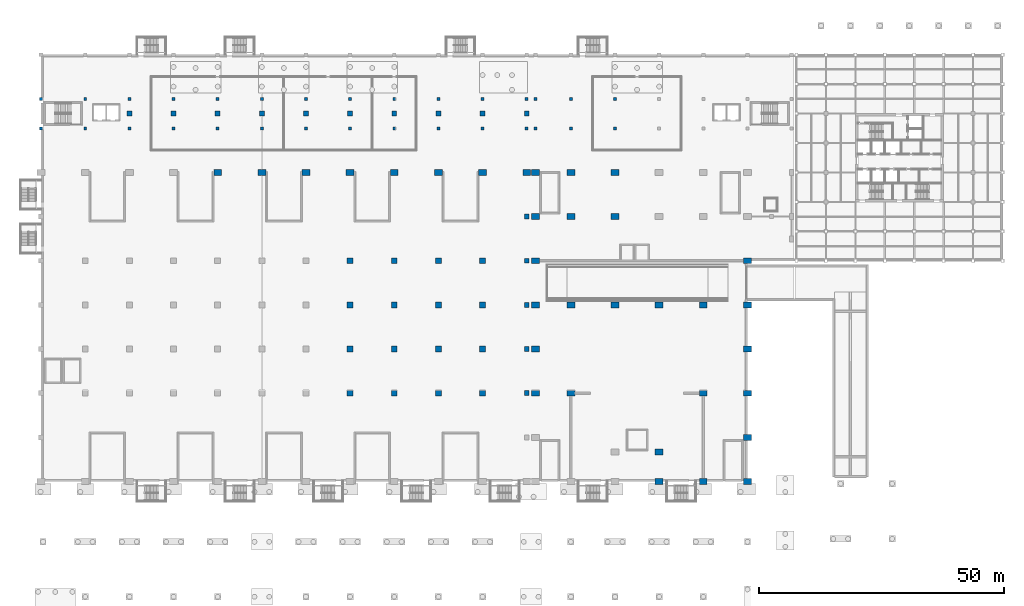
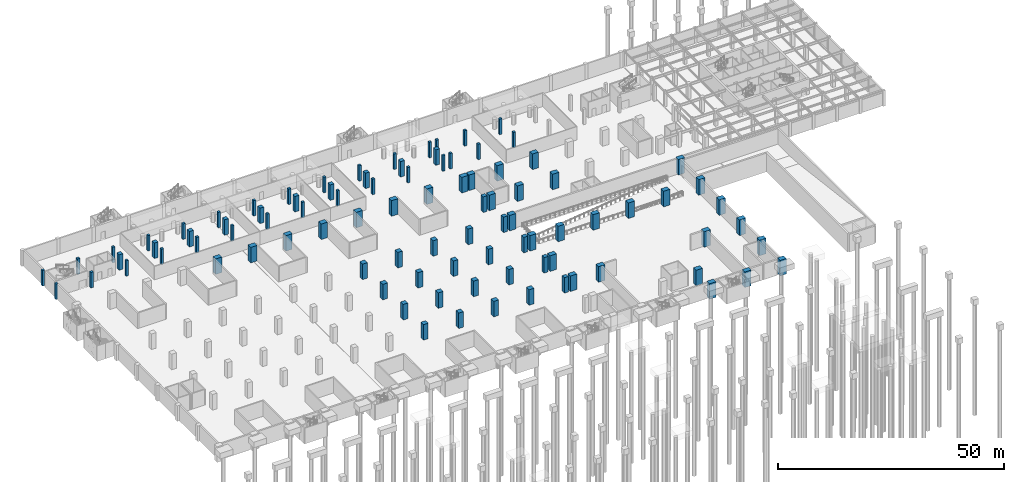
# One storey, part 3 of 27: 94 columns.
"""IFC4 building model written with IfcOpenShell, lengths in metres."""

import ifcopenshell
import ifcopenshell.guid

model = None  # the IFC model being written
_history = None  # IfcOwnerHistory: only IFC2X3 demands one
_inside = {}  # id of a spatial element -> (the spatial element, [elements in it])
_under = {}  # id of a project, library or spatial element -> (it, [spatial elements below it])
_declared = {}  # id of a project -> (the project, [libraries it declares])
_typed = {}  # id of a type object -> (the type object, [elements of that type])
_made_of = {}  # id of a material, layer set ... -> (it, [elements and type objects made of it])


def new_model(schema):
    """Start an empty IFC model of exactly this schema.

    Asked for "IFC4X3", IfcOpenShell would pick the latest addendum, in which some entities
    have other attributes; the version numbers below select the first issue.
    IFC2X3 requires an IfcOwnerHistory on every rooted entity: one is made here for all.
    """
    global model, _history
    if schema == "IFC4X3":
        model = ifcopenshell.file(schema_version=(4, 3, 0, 0))
    else:
        model = ifcopenshell.file(schema=schema)
    _inside.clear()
    _under.clear()
    _declared.clear()
    _typed.clear()
    _made_of.clear()
    _history = None
    if model.schema == "IFC2X3":
        org = make("IfcOrganization", Name="unknown")
        user = make(
            "IfcPersonAndOrganization",
            ThePerson=make("IfcPerson", FamilyName="unknown"),
            TheOrganization=org,
        )
        app = make(
            "IfcApplication",
            ApplicationDeveloper=org,
            Version="unknown",
            ApplicationFullName="unknown",
            ApplicationIdentifier="unknown",
        )
        _history = make(
            "IfcOwnerHistory",
            OwningUser=user,
            OwningApplication=app,
            ChangeAction="ADDED",
            CreationDate=0,
        )
    return model


def make(cls, **values):
    """One entity of the class cls with the attributes given. An attribute that is None is left unset."""
    return model.create_entity(
        cls, **{name: value for name, value in values.items() if value is not None}
    )


def rooted(cls, **values):
    """An entity with a GlobalId (a new one), such as an element, a storey or a relation."""
    return make(cls, GlobalId=ifcopenshell.guid.new(), OwnerHistory=_history, **values)


def si_unit(unit_type, name, prefix=None):
    """IfcSIUnit, for example si_unit("LENGTHUNIT", "METRE", prefix="MILLI")."""
    return make("IfcSIUnit", UnitType=unit_type, Prefix=prefix, Name=name)


def assignment(units):
    """IfcUnitAssignment: the units of a project."""
    return None if units is None else make("IfcUnitAssignment", Units=units)


def point(xyz):
    """IfcCartesianPoint."""
    return None if xyz is None else make("IfcCartesianPoint", Coordinates=xyz)


def direction(xyz):
    """IfcDirection."""
    return None if xyz is None else make("IfcDirection", DirectionRatios=xyz)


def frame(location, z_axis=None, x_axis=None):
    """IfcAxis2Placement3D, a coordinate frame: its origin and axes. An axis left out is left unset."""
    return make(
        "IfcAxis2Placement3D",
        Location=point(location),
        Axis=direction(z_axis),
        RefDirection=direction(x_axis),
    )


def frame_2d(location, x_axis=None):
    """IfcAxis2Placement2D, a coordinate frame in the plane: its origin and x axis."""
    return make(
        "IfcAxis2Placement2D", Location=point(location), RefDirection=direction(x_axis)
    )


def origin():
    """The frame at (0, 0, 0) with its axes left unset."""
    return frame((0.0, 0.0, 0.0))


def origin_2d():
    """The frame at (0, 0) in the plane with its x axis left unset."""
    return frame_2d((0.0, 0.0))


def place(relative_to, where):
    """IfcLocalPlacement: puts the frame where relative to a parent placement (None: the world)."""
    return make(
        "IfcLocalPlacement", PlacementRelTo=relative_to, RelativePlacement=where
    )


def context(
    kind, dimensions, precision=None, world=None, true_north=None, identifier=None
):
    """IfcGeometricRepresentationContext, for example the 3D "Model" context."""
    return make(
        "IfcGeometricRepresentationContext",
        ContextIdentifier=identifier,
        ContextType=kind,
        CoordinateSpaceDimension=dimensions,
        Precision=precision,
        WorldCoordinateSystem=world,
        TrueNorth=true_north,
    )


def subcontext(parent, identifier, kind, view, scale=None):
    """IfcGeometricRepresentationSubContext, for example "Body" below "Model"."""
    return make(
        "IfcGeometricRepresentationSubContext",
        ContextIdentifier=identifier,
        ContextType=kind,
        ParentContext=parent,
        TargetScale=scale,
        TargetView=view,
    )


def project(units=None, contexts=None):
    """IfcProject with its units and contexts."""
    return rooted(
        "IfcProject",
        Name="project",
        RepresentationContexts=contexts,
        UnitsInContext=assignment(units),
    )


def spatial(cls, under=None, at=None, **own):
    """A site, building, storey or space (cls), placed at a placement, below another one or the project."""
    s = rooted(cls, ObjectPlacement=at, **own)
    if under is not None:
        _under.setdefault(under.id(), (under, []))[1].append(s)
    return s


def profile(cls, at=None, kind="AREA", **sizes):
    """A parametric profile (cls). Its sizes go by their IFC names, for example OverallWidth=200.0."""
    return make(cls, ProfileType=kind, Position=at, **sizes)


def rectangle(**sizes):
    """IfcRectangleProfileDef."""
    return profile("IfcRectangleProfileDef", **sizes)


def extrude(swept, where, along, depth):
    """IfcExtrudedAreaSolid: the profile swept, set in the frame where, extruded along a direction by depth."""
    return make(
        "IfcExtrudedAreaSolid",
        SweptArea=swept,
        Position=where,
        ExtrudedDirection=direction(along),
        Depth=depth,
    )


def shape(context_of_items, identifier, shape_type, items):
    """IfcShapeRepresentation: the items that make up one representation, for example the "Body"."""
    return make(
        "IfcShapeRepresentation",
        ContextOfItems=context_of_items,
        RepresentationIdentifier=identifier,
        RepresentationType=shape_type,
        Items=items,
    )


def material(Name=None, Category=None):
    """IfcMaterial."""
    return make("IfcMaterial", Name=Name, Category=Category)


def material_profile(
    of_material, cross_section, Name=None, Category=None, Priority=None
):
    """IfcMaterialProfile: a cross section and its material."""
    return make(
        "IfcMaterialProfile",
        Name=Name,
        Material=of_material,
        Profile=cross_section,
        Priority=Priority,
        Category=Category,
    )


def profile_set(profiles, Name=None, composite=None):
    """IfcMaterialProfileSet."""
    return make(
        "IfcMaterialProfileSet",
        Name=Name,
        MaterialProfiles=profiles,
        CompositeProfile=composite,
    )


def made_of(thing, what):
    """Note that an element or type object is made of a material, layer set ...; save() writes the relation."""
    if what is not None:
        _made_of.setdefault(what.id(), (what, []))[1].append(thing)
    return thing


def type_object(cls, material=None, **own):
    """A type object (cls), such as IfcWallType, which elements share."""
    return made_of(rooted(cls, **own), material)


def element(
    cls,
    number,
    at=None,
    inside=None,
    cuts=None,
    type_object=None,
    material=None,
    context=None,
    identifier="Body",
    shape_type=None,
    held_by="IfcProductDefinitionShape",
    body=None,
    shapes=None,
    **own,
):
    """One element of the class cls, such as IfcWall. Its Tag is "e" and its number.

    at: its placement. inside: the storey or other place that contains it. cuts: it is an
    opening in that element (IfcRelVoidsElement). A single representation is given by context,
    identifier, shape_type and body (its items); several are given by shapes. held_by: the class
    of the entity that holds the representations. save() writes the other relations.
    """
    e = rooted(cls, Tag="e%d" % number, ObjectPlacement=at, **own)
    if body is not None:
        shapes = [shape(context, identifier, shape_type, body)]
    if shapes is not None:
        e.Representation = make(held_by, Representations=shapes)
    if inside is not None:
        _inside.setdefault(inside.id(), (inside, []))[1].append(e)
    if cuts is not None:
        rooted(
            "IfcRelVoidsElement", RelatingBuildingElement=cuts, RelatedOpeningElement=e
        )
    if type_object is not None:
        _typed.setdefault(type_object.id(), (type_object, []))[1].append(e)
    return made_of(e, material)


def aggregate(whole, parts):
    """IfcRelAggregates: a whole, such as a stair, and the parts it consists of."""
    return rooted("IfcRelAggregates", RelatingObject=whole, RelatedObjects=parts)


def save(model, path):
    """Write the relations noted so far, then the file.

    IfcRelAggregates (storeys below a building ...), IfcRelContainedInSpatialStructure (elements
    in a storey), IfcRelDefinesByType, IfcRelAssociatesMaterial and IfcRelDeclares: one each for
    every whole, place, type object, material and project.
    """
    for whole, parts in _under.values():
        aggregate(whole, parts)
    for where, things in _inside.values():
        rooted(
            "IfcRelContainedInSpatialStructure",
            RelatedElements=things,
            RelatingStructure=where,
        )
    for kind, things in _typed.values():
        rooted("IfcRelDefinesByType", RelatedObjects=things, RelatingType=kind)
    for what, things in _made_of.values():
        rooted("IfcRelAssociatesMaterial", RelatedObjects=things, RelatingMaterial=what)
    for by, libraries in _declared.values():
        rooted("IfcRelDeclares", RelatingContext=by, RelatedDefinitions=libraries)
    model.write(path)


model = new_model("IFC4")

# Units and contexts
model_context = context("Model", 3, precision=1e-05, world=origin(), true_north=direction((0.0, 1.0)))
body_context = subcontext(model_context, "Body", "Model", "MODEL_VIEW")
ifc_project = project(units=[si_unit("LENGTHUNIT", "METRE"), si_unit("AREAUNIT", "SQUARE_METRE"), si_unit("VOLUMEUNIT", "CUBIC_METRE"), si_unit("PLANEANGLEUNIT", "RADIAN"), si_unit("MASSUNIT", "GRAM", prefix="KILO")], contexts=[model_context])

# Site, building, storey
site_placement = place(None, origin())
site = spatial("IfcSite", under=ifc_project, at=site_placement, CompositionType="ELEMENT")
building_placement = place(site_placement, origin())
building = spatial("IfcBuilding", under=site, at=building_placement, Name="Aravalli Gate Trade Fair Centre", CompositionType="ELEMENT")
storey_placement = place(building_placement, frame((0.0, 0.0, -4.199951171875)))
storey = spatial("IfcBuildingStorey", under=building, at=storey_placement, Name="B1", CompositionType="ELEMENT", Elevation=-4.199951171875)

# Columns
ifc_material_1 = material(Name="Concrete M50", Category="concrete")
ifc_material_profile_1 = material_profile(ifc_material_1, rectangle(XDim=1.0, YDim=1.0, at=origin_2d()), Name="RC 1000 x 1000")
ifc_profile_set_1 = profile_set([ifc_material_profile_1], Name="Concrete M50")
column_type_1 = type_object("IfcColumnType", Name="Basement column 1000", PredefinedType="COLUMN", material=ifc_profile_set_1)
for number, where, z_axis, x_axis, name in (
    (1, (105.0, 64.0, 0.0), (0.0, 0.0, 1.0), (1.0, 0.0, 0.0), "Basement column 12C B1"),
    (2, (105.0, 73.0, 0.0), (0.0, 0.0, 1.0), (1.0, 0.0, 0.0), "Basement column 12D B1"),
    (3, (105.0, 82.0, 0.0), (0.0, 0.0, 1.0), (1.0, 0.0, 0.0), "Basement column 12E B1"),
    (4, (105.0, 91.0, 0.0), (0.0, 0.0, 1.0), (1.0, 0.0, 0.0), "Basement column 12F B1"),
    (5, (105.0, 100.0, 0.0), (0.0, 0.0, 1.0), (1.0, 0.0, 0.0), "Basement column 12G B1"),
    (6, (24.0, 121.0, 0.0), (0.0, 0.0, 1.0), (1.0, 0.0, 0.0), "Basement column 3J B1"),
    (7, (33.0, 121.0, 0.0), (0.0, 0.0, 1.0), (1.0, 0.0, 0.0), "Basement column 4J B1"),
    (8, (42.0, 121.0, 0.0), (0.0, 0.0, 1.0), (1.0, 0.0, 0.0), "Basement column 5J B1"),
    (9, (51.0, 121.0, 0.0), (0.0, 0.0, 1.0), (1.0, 0.0, 0.0), "Basement column 6J B1"),
    (10, (60.0, 121.0, 0.0), (0.0, 0.0, 1.0), (1.0, 0.0, 0.0), "Basement column 7J B1"),
    (11, (69.0, 121.0, 0.0), (0.0, 0.0, 1.0), (1.0, 0.0, 0.0), "Basement column 8J B1"),
    (12, (78.0, 121.0, 0.0), (0.0, 0.0, 1.0), (1.0, 0.0, 0.0), "Basement column 9J B1"),
    (13, (87.0, 121.0, 0.0), (0.0, 0.0, 1.0), (1.0, 0.0, 0.0), "Basement column 10J B1"),
    (14, (96.0, 121.0, 0.0), (0.0, 0.0, 1.0), (1.0, 0.0, 0.0), "Basement column 11J B1"),
    (15, (105.0, 121.0, 0.0), (0.0, 0.0, 1.0), (1.0, 0.0, 0.0), "Basement column 12J B1"),
):
    element("IfcColumn", number, at=place(storey_placement, frame(where, z_axis=z_axis, x_axis=x_axis)), inside=storey, type_object=column_type_1, Name=name, PredefinedType="COLUMN", context=body_context, shape_type="SweptSolid", body=[
        extrude(rectangle(XDim=1.0, YDim=1.0, at=origin_2d()), origin(), (0.0, 0.0, 1.0), 4.199951171875),
    ])
ifc_material_profile_2 = material_profile(ifc_material_1, rectangle(XDim=1.199951171875, YDim=1.199951171875, at=origin_2d()), Name="RC 1200 x 1200")
ifc_profile_set_2 = profile_set([ifc_material_profile_2], Name="Concrete M50")
column_type_2 = type_object("IfcColumnType", Name="Basement column 1200", PredefinedType="COLUMN", material=ifc_profile_set_2)
for number, where, z_axis, x_axis, name in (
    (16, (69.0, 64.0, 0.0), (0.0, 0.0, 1.0), (1.0, 0.0, 0.0), "Basement column 8C B1"),
    (17, (69.0, 73.0, 0.0), (0.0, 0.0, 1.0), (1.0, 0.0, 0.0), "Basement column 8D B1"),
    (18, (69.0, 82.0, 0.0), (0.0, 0.0, 1.0), (1.0, 0.0, 0.0), "Basement column 8E B1"),
    (19, (69.0, 91.0, 0.0), (0.0, 0.0, 1.0), (1.0, 0.0, 0.0), "Basement column 8F B1"),
    (20, (78.0, 64.0, 0.0), (0.0, 0.0, 1.0), (1.0, 0.0, 0.0), "Basement column 9C B1"),
    (21, (78.0, 73.0, 0.0), (0.0, 0.0, 1.0), (1.0, 0.0, 0.0), "Basement column 9D B1"),
    (22, (78.0, 82.0, 0.0), (0.0, 0.0, 1.0), (1.0, 0.0, 0.0), "Basement column 9E B1"),
    (23, (78.0, 91.0, 0.0), (0.0, 0.0, 1.0), (1.0, 0.0, 0.0), "Basement column 9F B1"),
    (24, (87.0, 64.0, 0.0), (0.0, 0.0, 1.0), (1.0, 0.0, 0.0), "Basement column 10C B1"),
    (25, (87.0, 73.0, 0.0), (0.0, 0.0, 1.0), (1.0, 0.0, 0.0), "Basement column 10D B1"),
    (26, (87.0, 82.0, 0.0), (0.0, 0.0, 1.0), (1.0, 0.0, 0.0), "Basement column 10E B1"),
    (27, (87.0, 91.0, 0.0), (0.0, 0.0, 1.0), (1.0, 0.0, 0.0), "Basement column 10F B1"),
    (28, (96.0, 64.0, 0.0), (0.0, 0.0, 1.0), (1.0, 0.0, 0.0), "Basement column 11C B1"),
    (29, (96.0, 73.0, 0.0), (0.0, 0.0, 1.0), (1.0, 0.0, 0.0), "Basement column 11D B1"),
    (30, (96.0, 82.0, 0.0), (0.0, 0.0, 1.0), (1.0, 0.0, 0.0), "Basement column 11E B1"),
    (31, (96.0, 91.0, 0.0), (0.0, 0.0, 1.0), (1.0, 0.0, 0.0), "Basement column 11F B1"),
):
    element("IfcColumn", number, at=place(storey_placement, frame(where, z_axis=z_axis, x_axis=x_axis)), inside=storey, type_object=column_type_2, Name=name, PredefinedType="COLUMN", context=body_context, shape_type="SweptSolid", body=[
        extrude(rectangle(XDim=1.199951171875, YDim=1.199951171875, at=origin_2d()), origin(), (0.0, 0.0, 1.0), 4.199951171875),
    ])
ifc_material_2 = material(Name="Concrete M45", Category="concrete")
ifc_material_profile_3 = material_profile(ifc_material_2, rectangle(XDim=1.60009765625, YDim=1.199951171875, at=origin_2d()), Name="RC 1600x1200")
ifc_profile_set_3 = profile_set([ifc_material_profile_3], Name="Concrete M45")
column_type_3 = type_object("IfcColumnType", Name="Congress RC column 1600 x 1200", PredefinedType="COLUMN", material=ifc_profile_set_3)
for number, where, z_axis, x_axis, name in (
    (32, (132.0, 46.0, 0.0), (0.0, 0.0, 1.0), (1.0, 0.0, 0.0), "Congress column 132.0/46 B1"),
    (33, (141.0, 46.0, 0.0), (0.0, 0.0, 1.0), (1.0, 0.0, 0.0), "Congress column 141.0/46 B1"),
    (34, (150.0, 46.0, 0.0), (0.0, 0.0, 1.0), (1.0, 0.0, 0.0), "Congress column 150.0/46 B1"),
    (35, (150.0, 55.0, 0.0), (0.0, 0.0, 1.0), (1.0, 0.0, 0.0), "Congress column 150.0/55 B1"),
    (36, (106.800048828125, 64.0, 0.0), (0.0, 0.0, 1.0), (1.0, 0.0, 0.0), "Congress column 106.8/64 B1"),
    (37, (150.0, 64.0, 0.0), (0.0, 0.0, 1.0), (1.0, 0.0, 0.0), "Congress column 150.0/64 B1"),
    (38, (106.800048828125, 73.0, 0.0), (0.0, 0.0, 1.0), (1.0, 0.0, 0.0), "Congress column 106.8/73 B1"),
    (39, (150.0, 73.0, 0.0), (0.0, 0.0, 1.0), (1.0, 0.0, 0.0), "Congress column 150.0/73 B1"),
    (40, (106.800048828125, 82.0, 0.0), (0.0, 0.0, 1.0), (1.0, 0.0, 0.0), "Congress column 106.8/82 B1"),
    (41, (150.0, 82.0, 0.0), (0.0, 0.0, 1.0), (1.0, 0.0, 0.0), "Congress column 150.0/82 B1"),
    (42, (106.800048828125, 91.0, 0.0), (0.0, 0.0, 1.0), (1.0, 0.0, 0.0), "Congress column 106.8/91 B1"),
    (43, (150.0, 91.0, 0.0), (0.0, 0.0, 1.0), (1.0, 0.0, 0.0), "Congress column 150.0/91 B1"),
    (44, (106.800048828125, 100.0, 0.0), (0.0, 0.0, 1.0), (1.0, 0.0, 0.0), "Congress column 106.8/100 B1"),
    (45, (106.800048828125, 109.0, 0.0), (0.0, 0.0, 1.0), (1.0, 0.0, 0.0), "Congress column 106.8/109 B1"),
    (46, (114.0, 109.0, 0.0), (0.0, 0.0, 1.0), (1.0, 0.0, 0.0), "Congress column 114.0/109 B1"),
    (47, (123.0, 109.0, 0.0), (0.0, 0.0, 1.0), (1.0, 0.0, 0.0), "Congress column 123.0/109 B1"),
):
    element("IfcColumn", number, at=place(storey_placement, frame(where, z_axis=z_axis, x_axis=x_axis)), inside=storey, type_object=column_type_3, Name=name, PredefinedType="COLUMN", context=body_context, shape_type="SweptSolid", body=[
        extrude(rectangle(XDim=1.60009765625, YDim=1.199951171875, at=origin_2d()), origin(), (0.0, 0.0, 1.0), 4.199951171875),
    ])
ifc_material_profile_4 = material_profile(ifc_material_2, rectangle(XDim=1.60009765625, YDim=1.199951171875, at=origin_2d()), Name="RC 1600x1200")
ifc_profile_set_4 = profile_set([ifc_material_profile_4], Name="Concrete M45")
column_type_4 = type_object("IfcColumnType", Name="Congress RC column 1600 x 1200, heavy stack", PredefinedType="COLUMN", material=ifc_profile_set_4)
for number, where, z_axis, x_axis, name in (
    (48, (132.0, 52.0, 0.0), (0.0, 0.0, 1.0), (1.0, 0.0, 0.0), "Congress column 132.0/52 B1"),
    (49, (114.0, 64.0, 0.0), (0.0, 0.0, 1.0), (1.0, 0.0, 0.0), "Congress column 114.0/64 B1"),
    (50, (141.0, 64.0, 0.0), (0.0, 0.0, 1.0), (1.0, 0.0, 0.0), "Congress column 141.0/64 B1"),
    (51, (114.0, 82.0, 0.0), (0.0, 0.0, 1.0), (1.0, 0.0, 0.0), "Congress column 114.0/82 B1"),
    (52, (123.0, 82.0, 0.0), (0.0, 0.0, 1.0), (1.0, 0.0, 0.0), "Congress column 123.0/82 B1"),
    (53, (132.0, 82.0, 0.0), (0.0, 0.0, 1.0), (1.0, 0.0, 0.0), "Congress column 132.0/82 B1"),
    (54, (141.0, 82.0, 0.0), (0.0, 0.0, 1.0), (1.0, 0.0, 0.0), "Congress column 141.0/82 B1"),
    (55, (114.0, 100.0, 0.0), (0.0, 0.0, 1.0), (1.0, 0.0, 0.0), "Congress column 114.0/100 B1"),
    (56, (123.0, 100.0, 0.0), (0.0, 0.0, 1.0), (1.0, 0.0, 0.0), "Congress column 123.0/100 B1"),
):
    element("IfcColumn", number, at=place(storey_placement, frame(where, z_axis=z_axis, x_axis=x_axis)), inside=storey, type_object=column_type_4, Name=name, PredefinedType="COLUMN", context=body_context, shape_type="SweptSolid", body=[
        extrude(rectangle(XDim=1.60009765625, YDim=1.199951171875, at=origin_2d()), origin(), (0.0, 0.0, 1.0), 4.199951171875),
    ])
ifc_material_profile_5 = material_profile(ifc_material_2, rectangle(XDim=1.60009765625, YDim=1.199951171875, at=origin_2d()), Name="RC 1600x1200")
ifc_profile_set_5 = profile_set([ifc_material_profile_5], Name="Concrete M45")
column_type_5 = type_object("IfcColumnType", Name="Hall end-line spine column HC2", PredefinedType="COLUMN", material=ifc_profile_set_5)
column_placement = place(storey_placement, frame((105.0, 109.0, 0.0), z_axis=(0.0, 0.0, 1.0), x_axis=(1.0, 0.0, 0.0)))
element("IfcColumn", 57, at=column_placement, inside=storey, type_object=column_type_5, Name="Spine column H12 B1", PredefinedType="COLUMN", context=body_context, shape_type="SweptSolid", body=[
    extrude(rectangle(XDim=1.60009765625, YDim=1.199951171875, at=origin_2d()), origin(), (0.0, 0.0, 1.0), 4.199951171875),
])
ifc_material_profile_6 = material_profile(ifc_material_2, rectangle(XDim=1.60009765625, YDim=1.199951171875, at=origin_2d()), Name="RC 1600x1200")
ifc_profile_set_6 = profile_set([ifc_material_profile_6], Name="Concrete M45")
column_type_6 = type_object("IfcColumnType", Name="Hall spine column HC1", PredefinedType="COLUMN", material=ifc_profile_set_6)
for number, where, z_axis, x_axis, name in (
    (58, (42.0, 109.0, 0.0), (0.0, 0.0, 1.0), (1.0, 0.0, 0.0), "Spine column H5 B1"),
    (59, (51.0, 109.0, 0.0), (0.0, 0.0, 1.0), (1.0, 0.0, 0.0), "Spine column H6 B1"),
    (60, (60.0, 109.0, 0.0), (0.0, 0.0, 1.0), (1.0, 0.0, 0.0), "Spine column H7 B1"),
    (61, (69.0, 109.0, 0.0), (0.0, 0.0, 1.0), (1.0, 0.0, 0.0), "Spine column H8 B1"),
    (62, (78.0, 109.0, 0.0), (0.0, 0.0, 1.0), (1.0, 0.0, 0.0), "Spine column H9 B1"),
    (63, (87.0, 109.0, 0.0), (0.0, 0.0, 1.0), (1.0, 0.0, 0.0), "Spine column H10 B1"),
    (64, (96.0, 109.0, 0.0), (0.0, 0.0, 1.0), (1.0, 0.0, 0.0), "Spine column H11 B1"),
):
    element("IfcColumn", number, at=place(storey_placement, frame(where, z_axis=z_axis, x_axis=x_axis)), inside=storey, type_object=column_type_6, Name=name, PredefinedType="COLUMN", context=body_context, shape_type="SweptSolid", body=[
        extrude(rectangle(XDim=1.60009765625, YDim=1.199951171875, at=origin_2d()), origin(), (0.0, 0.0, 1.0), 4.199951171875),
    ])
ifc_material_profile_7 = material_profile(ifc_material_2, rectangle(XDim=0.60009765625, YDim=0.60009765625, at=origin_2d()), Name="RC column 600 x 600")
ifc_profile_set_7 = profile_set([ifc_material_profile_7], Name="Concrete M45")
column_type_7 = type_object("IfcColumnType", Name="RC column 600 x 600", PredefinedType="COLUMN", material=ifc_profile_set_7)
for number, where, z_axis, x_axis, name in (
    (65, (6.0, 118.0, 0.0), (0.0, 0.0, 1.0), (1.0, 0.0, 0.0), "Concourse column S01 B1"),
    (66, (6.0, 124.0, 0.0), (0.0, 0.0, 1.0), (1.0, 0.0, 0.0), "Concourse column N01 B1"),
    (67, (15.0, 118.0, 0.0), (0.0, 0.0, 1.0), (1.0, 0.0, 0.0), "Concourse column S02 B1"),
    (68, (15.0, 124.0, 0.0), (0.0, 0.0, 1.0), (1.0, 0.0, 0.0), "Concourse column N02 B1"),
    (69, (24.0, 118.0, 0.0), (0.0, 0.0, 1.0), (1.0, 0.0, 0.0), "Concourse column S03 B1"),
    (70, (24.0, 124.0, 0.0), (0.0, 0.0, 1.0), (1.0, 0.0, 0.0), "Concourse column N03 B1"),
    (71, (33.0, 118.0, 0.0), (0.0, 0.0, 1.0), (1.0, 0.0, 0.0), "Concourse column S04 B1"),
    (72, (33.0, 124.0, 0.0), (0.0, 0.0, 1.0), (1.0, 0.0, 0.0), "Concourse column N04 B1"),
    (73, (42.0, 118.0, 0.0), (0.0, 0.0, 1.0), (1.0, 0.0, 0.0), "Concourse column S05 B1"),
    (74, (42.0, 124.0, 0.0), (0.0, 0.0, 1.0), (1.0, 0.0, 0.0), "Concourse column N05 B1"),
    (75, (51.0, 118.0, 0.0), (0.0, 0.0, 1.0), (1.0, 0.0, 0.0), "Concourse column S06 B1"),
    (76, (51.0, 124.0, 0.0), (0.0, 0.0, 1.0), (1.0, 0.0, 0.0), "Concourse column N06 B1"),
    (77, (60.0, 118.0, 0.0), (0.0, 0.0, 1.0), (1.0, 0.0, 0.0), "Concourse column S07 B1"),
    (78, (60.0, 124.0, 0.0), (0.0, 0.0, 1.0), (1.0, 0.0, 0.0), "Concourse column N07 B1"),
    (79, (69.0, 118.0, 0.0), (0.0, 0.0, 1.0), (1.0, 0.0, 0.0), "Concourse column S08 B1"),
    (80, (69.0, 124.0, 0.0), (0.0, 0.0, 1.0), (1.0, 0.0, 0.0), "Concourse column N08 B1"),
    (81, (78.0, 118.0, 0.0), (0.0, 0.0, 1.0), (1.0, 0.0, 0.0), "Concourse column S09 B1"),
    (82, (78.0, 124.0, 0.0), (0.0, 0.0, 1.0), (1.0, 0.0, 0.0), "Concourse column N09 B1"),
    (83, (87.0, 118.0, 0.0), (0.0, 0.0, 1.0), (1.0, 0.0, 0.0), "Concourse column S10 B1"),
    (84, (87.0, 124.0, 0.0), (0.0, 0.0, 1.0), (1.0, 0.0, 0.0), "Concourse column N10 B1"),
    (85, (96.0, 118.0, 0.0), (0.0, 0.0, 1.0), (1.0, 0.0, 0.0), "Concourse column S11 B1"),
    (86, (96.0, 124.0, 0.0), (0.0, 0.0, 1.0), (1.0, 0.0, 0.0), "Concourse column N11 B1"),
    (87, (105.0, 118.0, 0.0), (0.0, 0.0, 1.0), (1.0, 0.0, 0.0), "Concourse column S12 B1"),
    (88, (105.0, 124.0, 0.0), (0.0, 0.0, 1.0), (1.0, 0.0, 0.0), "Concourse column N12 B1"),
    (89, (106.800048828125, 118.0, 0.0), (0.0, 0.0, 1.0), (1.0, 0.0, 0.0), "Concourse column S12A B1"),
    (90, (106.800048828125, 124.0, 0.0), (0.0, 0.0, 1.0), (1.0, 0.0, 0.0), "Concourse column N12A B1"),
    (91, (114.0, 118.0, 0.0), (0.0, 0.0, 1.0), (1.0, 0.0, 0.0), "Concourse column S13 B1"),
    (92, (114.0, 124.0, 0.0), (0.0, 0.0, 1.0), (1.0, 0.0, 0.0), "Concourse column N13 B1"),
    (93, (123.0, 118.0, 0.0), (0.0, 0.0, 1.0), (1.0, 0.0, 0.0), "Concourse column S14 B1"),
    (94, (123.0, 124.0, 0.0), (0.0, 0.0, 1.0), (1.0, 0.0, 0.0), "Concourse column N14 B1"),
):
    element("IfcColumn", number, at=place(storey_placement, frame(where, z_axis=z_axis, x_axis=x_axis)), inside=storey, type_object=column_type_7, Name=name, PredefinedType="COLUMN", context=body_context, shape_type="SweptSolid", body=[
        extrude(rectangle(XDim=0.60009765625, YDim=0.60009765625, at=origin_2d()), origin(), (0.0, 0.0, 1.0), 4.199951171875),
    ])

save(model, "model.ifc")
